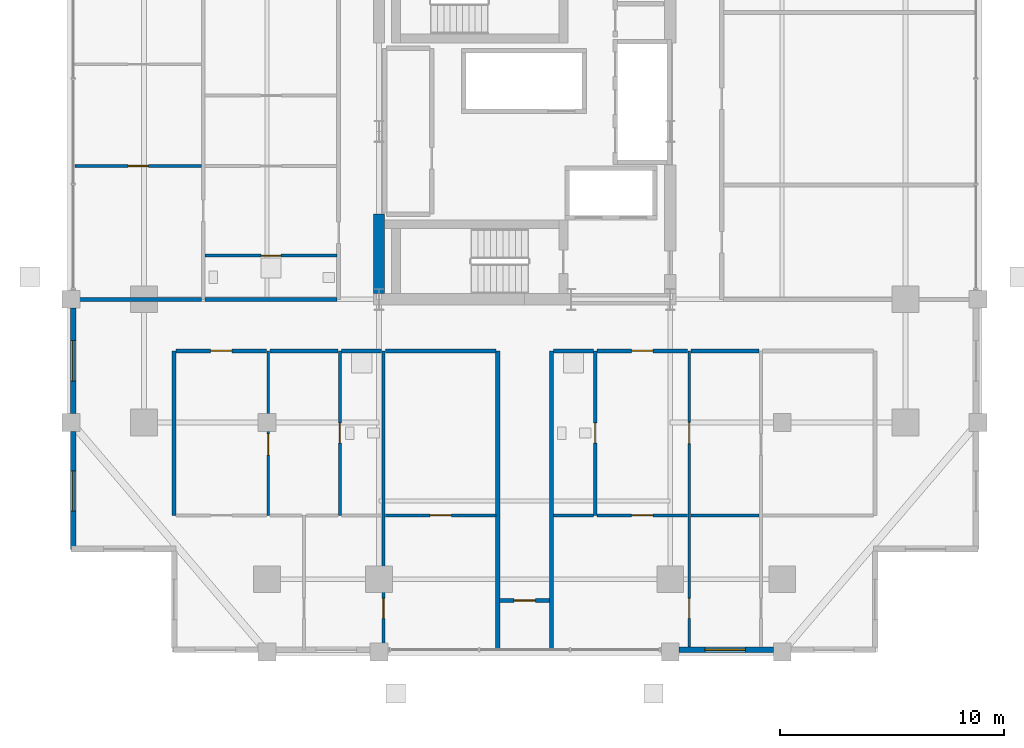
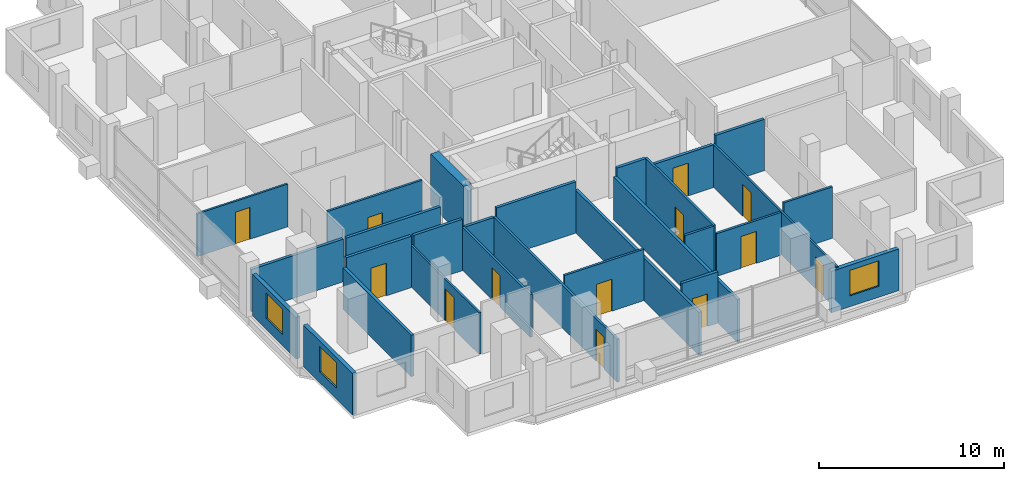
# One storey, part 14 of 20: 28 walls, 13 doors, 3 windows, 16 openings.
"""IFC4 building model written with IfcOpenShell, lengths in metres."""

from ifc_helpers import new_model, si_unit, direction, frame, frame_2d, origin, place, context, subcontext, project, spatial, rectangle, extrude, material, layer, layer_set, type_object, element, fill, save


model = new_model("IFC4")

# Units and contexts
model_context = context("Model", 3, precision=1e-05, world=origin(), true_north=direction((0.0, 1.0)))
body_context = subcontext(model_context, "Body", "Model", "MODEL_VIEW")
ifc_project = project(units=[si_unit("LENGTHUNIT", "METRE"), si_unit("AREAUNIT", "SQUARE_METRE"), si_unit("VOLUMEUNIT", "CUBIC_METRE"), si_unit("PLANEANGLEUNIT", "RADIAN"), si_unit("MASSUNIT", "GRAM", prefix="KILO")], contexts=[model_context])

# Site, building, storey
site_placement = place(None, origin())
site = spatial("IfcSite", under=ifc_project, at=site_placement, CompositionType="ELEMENT")
building_placement = place(site_placement, origin())
building = spatial("IfcBuilding", under=site, at=building_placement, Name="Barlavira Tower and Art Museum", CompositionType="ELEMENT")
storey_placement = place(building_placement, frame((0.0, 0.0, 136.800048828125)))
storey = spatial("IfcBuildingStorey", under=building, at=storey_placement, Name="L34", CompositionType="ELEMENT", Elevation=136.800048828125)

# Wall, opening, door
ifc_material_1 = material(Name="Gypsum acoustic stud partition", Category="gypsum")
ifc_layer_1 = layer(ifc_material_1, 0.1201171875, Name="Gypsum acoustic stud partition")
ifc_layer_set_1 = layer_set([ifc_layer_1], Name="Gypsum acoustic stud partition")
wall_type_1 = type_object("IfcWallType", Name="Apartment Internal Acoustic Partition 120", PredefinedType="PARTITIONING", material=ifc_layer_set_1)
wall_1_placement = place(storey_placement, frame((-11.449951171875, -17.14990234375, 0.0), z_axis=(0.0, 0.0, 1.0), x_axis=(0.0, 1.0, 0.0)))
wall_1 = element("IfcWall", 1, at=wall_1_placement, inside=storey, type_object=wall_type_1, Name="L34 Partition Wall 4", PredefinedType="PARTITIONING", context=body_context, shape_type="SweptSolid", body=[
    extrude(rectangle(XDim=7.349853515625, YDim=0.1201171875, at=frame_2d((3.6748046875, 0.0))), origin(), (0.0, 0.0, 1.0), 2.73583984375),
])
opening_1_placement = place(wall_1_placement, frame((2.686767578125, 0.0, 0.0)))
opening_1 = element("IfcOpeningElement", 2, at=opening_1_placement, cuts=wall_1, Name="Opening D-02", PredefinedType="OPENING", context=body_context, shape_type="SweptSolid", body=[
    extrude(rectangle(XDim=0.949951171875, YDim=2.10009765625, at=frame_2d((0.47509765625, 1.050048828125))), frame((0.0, 0.070068359375, 0.0), z_axis=(0.0, -1.0, 0.0), x_axis=(1.0, 0.0, 0.0)), (0.0, 0.0, 1.0), 0.14013671875),
])
ifc_material_2 = material(Name="Engineered coastal hardwood", Category="wood")
door_type_1 = type_object("IfcDoorType", Name="Living and Salon Glazed-Leaf Door 950x2100", OperationType="NOTDEFINED", PredefinedType="DOOR", material=ifc_material_2)
door_1_placement = place(opening_1_placement, origin())
door_1 = element("IfcDoor", 3, at=door_1_placement, inside=storey, type_object=door_type_1, Name="Apartment SW1 Kitchen Door", OperationType="SINGLE_SWING_RIGHT", OverallHeight=2.10009765625, OverallWidth=0.949951171875, PredefinedType="DOOR", context=body_context, shape_type="SweptSolid", body=[
    extrude(rectangle(XDim=0.949951171875, YDim=2.10009765625, at=frame_2d((0.47509765625, 1.050048828125))), frame((0.0, 0.02490234375, 0.0), z_axis=(0.0, -1.0, 0.0), x_axis=(1.0, 0.0, 0.0)), (0.0, 0.0, 1.0), 0.050048828125),
])
fill(opening_1, door_1)

# Wall, openings, doors
wall_2_placement = place(storey_placement, frame((7.35009765625, -23.14990234375, 0.0), z_axis=(0.0, 0.0, 1.0), x_axis=(0.0, 1.0, 0.0)))
wall_2 = element("IfcWall", 4, at=wall_2_placement, inside=storey, type_object=wall_type_1, Name="L34 Partition Wall 22", PredefinedType="PARTITIONING", context=body_context, shape_type="SweptSolid", body=[
    extrude(rectangle(XDim=13.349853515625, YDim=0.1201171875, at=frame_2d((6.6748046875, 0.0))), origin(), (0.0, 0.0, 1.0), 2.81591796875),
])
opening_2_placement = place(wall_2_placement, frame((9.205078125, 0.0, 0.0)))
opening_2 = element("IfcOpeningElement", 5, at=opening_2_placement, cuts=wall_2, Name="Opening D-02", PredefinedType="OPENING", context=body_context, shape_type="SweptSolid", body=[
    extrude(rectangle(XDim=0.949951171875, YDim=2.10009765625, at=frame_2d((0.47509765625, 1.050048828125))), frame((0.0, 0.070068359375, 0.0), z_axis=(0.0, -1.0, 0.0), x_axis=(1.0, 0.0, 0.0)), (0.0, 0.0, 1.0), 0.14013671875),
])
opening_3_placement = place(wall_2_placement, frame((1.39892578125, 0.0, 0.0)))
opening_3 = element("IfcOpeningElement", 6, at=opening_3_placement, cuts=wall_2, Name="Opening D-01", PredefinedType="OPENING", context=body_context, shape_type="SweptSolid", body=[
    extrude(rectangle(XDim=0.89990234375, YDim=2.10009765625, at=frame_2d((0.449951171875, 1.050048828125))), frame((0.0, 0.070068359375, 0.0), z_axis=(0.0, -1.0, 0.0), x_axis=(1.0, 0.0, 0.0)), (0.0, 0.0, 1.0), 0.14013671875),
])
door_type_2 = type_object("IfcDoorType", Name="Internal Bedroom Timber Flush Door 900x2100", OperationType="NOTDEFINED", PredefinedType="DOOR", material=ifc_material_2)
door_2_placement = place(opening_3_placement, origin())
door_2 = element("IfcDoor", 7, at=door_2_placement, inside=storey, type_object=door_type_2, Name="Apartment SE1 Bedroom 1 Door", OperationType="SINGLE_SWING_LEFT", OverallHeight=2.10009765625, OverallWidth=0.89990234375, PredefinedType="DOOR", context=body_context, shape_type="SweptSolid", body=[
    extrude(rectangle(XDim=0.89990234375, YDim=2.10009765625, at=frame_2d((0.449951171875, 1.050048828125))), frame((0.0, 0.02490234375, 0.0), z_axis=(0.0, -1.0, 0.0), x_axis=(1.0, 0.0, 0.0)), (0.0, 0.0, 1.0), 0.050048828125),
])
fill(opening_3, door_2)
door_3_placement = place(opening_2_placement, origin())
door_3 = element("IfcDoor", 8, at=door_3_placement, inside=storey, type_object=door_type_1, Name="Apartment SE1 Kitchen Door", OperationType="SINGLE_SWING_RIGHT", OverallHeight=2.10009765625, OverallWidth=0.949951171875, PredefinedType="DOOR", context=body_context, shape_type="SweptSolid", body=[
    extrude(rectangle(XDim=0.949951171875, YDim=2.10009765625, at=frame_2d((0.47509765625, 1.050048828125))), frame((0.0, 0.02490234375, 0.0), z_axis=(0.0, -1.0, 0.0), x_axis=(1.0, 0.0, 0.0)), (0.0, 0.0, 1.0), 0.050048828125),
])
fill(opening_2, door_3)

# Wall, opening, door
wall_3_placement = place(storey_placement, frame((-20.070068359375, -1.550048828125, 0.0), z_axis=(0.0, 0.0, 1.0), x_axis=(1.0, 0.0, 0.0)))
wall_3 = element("IfcWall", 9, at=wall_3_placement, inside=storey, type_object=wall_type_1, Name="L34 Partition Wall 53", PredefinedType="PARTITIONING", context=body_context, shape_type="SweptSolid", body=[
    extrude(rectangle(XDim=5.64013671875, YDim=0.1201171875, at=frame_2d((2.820068359375, 0.0))), origin(), (0.0, 0.0, 1.0), 2.81591796875),
])
opening_4_placement = place(wall_3_placement, frame((2.3701171875, 0.0, 0.0)))
opening_4 = element("IfcOpeningElement", 10, at=opening_4_placement, cuts=wall_3, Name="Opening D-01", PredefinedType="OPENING", context=body_context, shape_type="SweptSolid", body=[
    extrude(rectangle(XDim=0.89990234375, YDim=2.10009765625, at=frame_2d((0.449951171875, 1.050048828125))), frame((0.0, 0.070068359375, 0.0), z_axis=(0.0, -1.0, 0.0), x_axis=(1.0, 0.0, 0.0)), (0.0, 0.0, 1.0), 0.14013671875),
])
door_4_placement = place(opening_4_placement, origin())
door_4 = element("IfcDoor", 11, at=door_4_placement, inside=storey, type_object=door_type_2, Name="Apartment W1 Bedroom 1 Door", OperationType="SINGLE_SWING_LEFT", OverallHeight=2.10009765625, OverallWidth=0.89990234375, PredefinedType="DOOR", context=body_context, shape_type="SweptSolid", body=[
    extrude(rectangle(XDim=0.89990234375, YDim=2.10009765625, at=frame_2d((0.449951171875, 1.050048828125))), frame((0.0, 0.02490234375, 0.0), z_axis=(0.0, -1.0, 0.0), x_axis=(1.0, 0.0, 0.0)), (0.0, 0.0, 1.0), 0.050048828125),
])
fill(opening_4, door_4)

# Walls
ifc_material_3 = material(Name="Concrete C60", Category="concrete")
ifc_layer_2 = layer(ifc_material_3, 0.5, Name="Concrete C60")
ifc_layer_set_2 = layer_set([ifc_layer_2], Name="Concrete C60")
wall_type_2 = type_object("IfcWallType", Name="Core Structural Shear Wall 500 Concrete C60", PredefinedType="SHEAR", material=ifc_layer_set_2)
wall_4_placement = place(storey_placement, frame((-6.5, -7.25, 0.0), z_axis=(0.0, 0.0, 1.0), x_axis=(0.0, 1.0, 0.0)))
element("IfcWall", 12, at=wall_4_placement, inside=storey, type_object=wall_type_2, Name="L34 Core Shear Wall CS-W1", PredefinedType="SHEAR", context=body_context, shape_type="SweptSolid", body=[
    extrude(rectangle(XDim=3.550048828125, YDim=0.5, at=frame_2d((1.77490234375, 0.0))), origin(), (0.0, 0.0, 1.0), 3.3798828125),
])
ifc_layer_3 = layer(ifc_material_1, 0.179931640625, Name="Gypsum acoustic stud partition")
ifc_layer_set_3 = layer_set([ifc_layer_3], Name="Gypsum acoustic stud partition")
wall_type_3 = type_object("IfcWallType", Name="Inter-Tenancy Party Partition Wall 180", PredefinedType="PARTITIONING", material=ifc_layer_set_3)
wall_5_placement = place(storey_placement, frame((-15.64990234375, -17.14990234375, 0.0), z_axis=(0.0, 0.0, 1.0), x_axis=(0.0, 1.0, 0.0)))
element("IfcWall", 13, at=wall_5_placement, inside=storey, type_object=wall_type_3, Name="L34 Partition Wall 1", PredefinedType="PARTITIONING", context=body_context, shape_type="SweptSolid", body=[
    extrude(rectangle(XDim=7.349853515625, YDim=0.179931640625, at=frame_2d((3.6748046875, 0.0))), origin(), (0.0, 0.0, 1.0), 2.73583984375),
])
for number, where, z_axis, x_axis, name in (
    (14, (-1.199951171875, -23.14990234375, 0.0), (0.0, 0.0, 1.0), (0.0, 1.0, 0.0), "L34 Partition Wall 15"),
    (15, (1.199951171875, -23.14990234375, 0.0), (0.0, 0.0, 1.0), (0.0, 1.0, 0.0), "L34 Partition Wall 17"),
):
    element("IfcWall", number, at=place(storey_placement, frame(where, z_axis=z_axis, x_axis=x_axis)), inside=storey, type_object=wall_type_3, Name=name, PredefinedType="PARTITIONING", context=body_context, shape_type="SweptSolid", body=[
        extrude(rectangle(XDim=13.349853515625, YDim=0.179931640625, at=frame_2d((6.6748046875, 0.0))), origin(), (0.0, 0.0, 1.0), 2.81591796875),
    ])

# Wall, opening, door
wall_6_placement = place(storey_placement, frame((-1.1201171875, -20.949951171875, 0.0), z_axis=(0.0, 0.0, 1.0), x_axis=(1.0, 0.0, 0.0)))
wall_6 = element("IfcWall", 16, at=wall_6_placement, inside=storey, type_object=wall_type_3, Name="L34 Partition Wall 29", PredefinedType="PARTITIONING", context=body_context, shape_type="SweptSolid", body=[
    extrude(rectangle(XDim=2.240234375, YDim=0.179931640625, at=frame_2d((1.1201171875, 0.0))), origin(), (0.0, 0.0, 1.0), 3.3798828125),
])
opening_5_placement = place(wall_6_placement, frame((0.64501953125, 0.0, 0.0)))
opening_5 = element("IfcOpeningElement", 17, at=opening_5_placement, cuts=wall_6, Name="Opening FD-60", PredefinedType="OPENING", context=body_context, shape_type="SweptSolid", body=[
    extrude(rectangle(XDim=0.949951171875, YDim=2.14990234375, at=frame_2d((0.47509765625, 1.074951171875))), frame((0.0, 0.10009765625, 0.0), z_axis=(0.0, -1.0, 0.0), x_axis=(1.0, 0.0, 0.0)), (0.0, 0.0, 1.0), 0.199951171875),
])
ifc_material_4 = material(Name="Brushed stainless steel", Category="steel")
door_type_3 = type_object("IfcDoorType", Name="Apartment Entrance and Riser Fire Door 950x2150 FD60S", OperationType="NOTDEFINED", PredefinedType="DOOR", material=ifc_material_4)
door_5_placement = place(opening_5_placement, origin())
door_5 = element("IfcDoor", 18, at=door_5_placement, inside=storey, type_object=door_type_3, Name="L34 South Horizon Reading Alcove Door", OperationType="SINGLE_SWING_RIGHT", OverallHeight=2.14990234375, OverallWidth=0.949951171875, PredefinedType="DOOR", context=body_context, shape_type="SweptSolid", body=[
    extrude(rectangle(XDim=0.949951171875, YDim=2.14990234375, at=frame_2d((0.47509765625, 1.074951171875))), frame((0.0, 0.02490234375, 0.0), z_axis=(0.0, -1.0, 0.0), x_axis=(1.0, 0.0, 0.0)), (0.0, 0.0, 1.0), 0.050048828125),
])
fill(opening_5, door_5)

wall_7_placement = place(storey_placement, frame((-15.570068359375, -9.800048828125, 0.0), z_axis=(0.0, 0.0, 1.0), x_axis=(1.0, 0.0, 0.0)))
wall_7 = element("IfcWall", 19, at=wall_7_placement, inside=storey, type_object=wall_type_3, Name="L34 Partition Wall 39", PredefinedType="PARTITIONING", context=body_context, shape_type="SweptSolid", body=[
    extrude(rectangle(XDim=4.0400390625, YDim=0.179931640625, at=frame_2d((2.02001953125, 0.0))), origin(), (0.0, 0.0, 1.0), 3.3798828125),
])
opening_6_placement = place(wall_7_placement, frame((1.544921875, 0.0, 0.0)))
opening_6 = element("IfcOpeningElement", 20, at=opening_6_placement, cuts=wall_7, Name="Opening FD-60", PredefinedType="OPENING", context=body_context, shape_type="SweptSolid", body=[
    extrude(rectangle(XDim=0.949951171875, YDim=2.14990234375, at=frame_2d((0.47509765625, 1.074951171875))), frame((0.0, 0.10009765625, 0.0), z_axis=(0.0, -1.0, 0.0), x_axis=(1.0, 0.0, 0.0)), (0.0, 0.0, 1.0), 0.199951171875),
])
door_6_placement = place(opening_6_placement, origin())
door_6 = element("IfcDoor", 21, at=door_6_placement, inside=storey, type_object=door_type_3, Name="Apartment Entrance Hall SW1 Door", OperationType="SINGLE_SWING_LEFT", OverallHeight=2.14990234375, OverallWidth=0.949951171875, PredefinedType="DOOR", context=body_context, shape_type="SweptSolid", body=[
    extrude(rectangle(XDim=0.949951171875, YDim=2.14990234375, at=frame_2d((0.47509765625, 1.074951171875))), frame((0.0, 0.02490234375, 0.0), z_axis=(0.0, -1.0, 0.0), x_axis=(1.0, 0.0, 0.0)), (0.0, 0.0, 1.0), 0.050048828125),
])
fill(opening_6, door_6)

# Walls
wall_8_placement = place(storey_placement, frame((-11.3701171875, -9.800048828125, 0.0), z_axis=(0.0, 0.0, 1.0), x_axis=(1.0, 0.0, 0.0)))
element("IfcWall", 22, at=wall_8_placement, inside=storey, type_object=wall_type_3, Name="L34 Partition Wall 40", PredefinedType="PARTITIONING", context=body_context, shape_type="SweptSolid", body=[
    extrude(rectangle(XDim=3.0400390625, YDim=0.179931640625, at=frame_2d((1.52001953125, 0.0))), origin(), (0.0, 0.0, 1.0), 3.3798828125),
])
wall_9_placement = place(storey_placement, frame((-8.169921875, -9.800048828125, 0.0), z_axis=(0.0, 0.0, 1.0), x_axis=(1.0, 0.0, 0.0)))
element("IfcWall", 23, at=wall_9_placement, inside=storey, type_object=wall_type_3, Name="L34 Partition Wall 41", PredefinedType="PARTITIONING", context=body_context, shape_type="SweptSolid", body=[
    extrude(rectangle(XDim=1.7900390625, YDim=0.179931640625, at=frame_2d((0.89501953125, 0.0))), origin(), (0.0, 0.0, 1.0), 2.81591796875),
])
wall_10_placement = place(storey_placement, frame((-6.219970703125, -9.800048828125, 0.0), z_axis=(0.0, 0.0, 1.0), x_axis=(1.0, 0.0, 0.0)))
element("IfcWall", 24, at=wall_10_placement, inside=storey, type_object=wall_type_3, Name="L34 Partition Wall 42", PredefinedType="PARTITIONING", context=body_context, shape_type="SweptSolid", body=[
    extrude(rectangle(XDim=4.93994140625, YDim=0.179931640625, at=frame_2d((2.469970703125, 0.0))), origin(), (0.0, 0.0, 1.0), 3.3798828125),
])
wall_11_placement = place(storey_placement, frame((1.280029296875, -9.800048828125, 0.0), z_axis=(0.0, 0.0, 1.0), x_axis=(1.0, 0.0, 0.0)))
element("IfcWall", 25, at=wall_11_placement, inside=storey, type_object=wall_type_3, Name="L34 Partition Wall 43", PredefinedType="PARTITIONING", context=body_context, shape_type="SweptSolid", body=[
    extrude(rectangle(XDim=1.7900390625, YDim=0.179931640625, at=frame_2d((0.89501953125, 0.0))), origin(), (0.0, 0.0, 1.0), 3.3798828125),
])

# Wall, opening, door
wall_12_placement = place(storey_placement, frame((3.22998046875, -9.800048828125, 0.0), z_axis=(0.0, 0.0, 1.0), x_axis=(1.0, 0.0, 0.0)))
wall_12 = element("IfcWall", 26, at=wall_12_placement, inside=storey, type_object=wall_type_3, Name="L34 Partition Wall 44", PredefinedType="PARTITIONING", context=body_context, shape_type="SweptSolid", body=[
    extrude(rectangle(XDim=4.0400390625, YDim=0.179931640625, at=frame_2d((2.02001953125, 0.0))), origin(), (0.0, 0.0, 1.0), 2.81591796875),
])
opening_7_placement = place(wall_12_placement, frame((1.544921875, 0.0, 0.0)))
opening_7 = element("IfcOpeningElement", 27, at=opening_7_placement, cuts=wall_12, Name="Opening FD-60", PredefinedType="OPENING", context=body_context, shape_type="SweptSolid", body=[
    extrude(rectangle(XDim=0.949951171875, YDim=2.14990234375, at=frame_2d((0.47509765625, 1.074951171875))), frame((0.0, 0.10009765625, 0.0), z_axis=(0.0, -1.0, 0.0), x_axis=(1.0, 0.0, 0.0)), (0.0, 0.0, 1.0), 0.199951171875),
])
door_7_placement = place(opening_7_placement, origin())
door_7 = element("IfcDoor", 28, at=door_7_placement, inside=storey, type_object=door_type_3, Name="Apartment Entrance Hall SE1 Door", OperationType="SINGLE_SWING_LEFT", OverallHeight=2.14990234375, OverallWidth=0.949951171875, PredefinedType="DOOR", context=body_context, shape_type="SweptSolid", body=[
    extrude(rectangle(XDim=0.949951171875, YDim=2.14990234375, at=frame_2d((0.47509765625, 1.074951171875))), frame((0.0, 0.02490234375, 0.0), z_axis=(0.0, -1.0, 0.0), x_axis=(1.0, 0.0, 0.0)), (0.0, 0.0, 1.0), 0.050048828125),
])
fill(opening_7, door_7)

# Walls
wall_13_placement = place(storey_placement, frame((7.429931640625, -9.800048828125, 0.0), z_axis=(0.0, 0.0, 1.0), x_axis=(1.0, 0.0, 0.0)))
element("IfcWall", 29, at=wall_13_placement, inside=storey, type_object=wall_type_3, Name="L34 Partition Wall 45", PredefinedType="PARTITIONING", context=body_context, shape_type="SweptSolid", body=[
    extrude(rectangle(XDim=3.0400390625, YDim=0.179931640625, at=frame_2d((1.52001953125, 0.0))), origin(), (0.0, 0.0, 1.0), 3.3798828125),
])
wall_14_placement = place(storey_placement, frame((-20.14990234375, -7.5, 0.0), z_axis=(0.0, 0.0, 1.0), x_axis=(1.0, 0.0, 0.0)))
element("IfcWall", 30, at=wall_14_placement, inside=storey, type_object=wall_type_3, Name="L34 Partition Wall 47", PredefinedType="PARTITIONING", context=body_context, shape_type="SweptSolid", body=[
    extrude(rectangle(XDim=5.719970703125, YDim=0.179931640625, at=frame_2d((2.85986328125, 0.0))), origin(), (0.0, 0.0, 1.0), 2.81591796875),
])
wall_15_placement = place(storey_placement, frame((-14.27001953125, -7.5, 0.0), z_axis=(0.0, 0.0, 1.0), x_axis=(1.0, 0.0, 0.0)))
element("IfcWall", 31, at=wall_15_placement, inside=storey, type_object=wall_type_3, Name="L34 Partition Wall 48", PredefinedType="PARTITIONING", context=body_context, shape_type="SweptSolid", body=[
    extrude(rectangle(XDim=5.89013671875, YDim=0.179931640625, at=frame_2d((2.945068359375, 0.0))), origin(), (0.0, 0.0, 1.0), 2.81591796875),
])

# Wall, opening, door
ifc_layer_4 = layer(ifc_material_1, 0.139892578125, Name="Gypsum acoustic stud partition")
ifc_layer_set_4 = layer_set([ifc_layer_4], Name="Gypsum acoustic stud partition")
wall_type_4 = type_object("IfcWallType", Name="Moisture-Resistant Bathroom Partition 140", PredefinedType="PARTITIONING", material=ifc_layer_set_4)
wall_16_placement = place(storey_placement, frame((-8.25, -17.14990234375, 0.0), z_axis=(0.0, 0.0, 1.0), x_axis=(0.0, 1.0, 0.0)))
wall_16 = element("IfcWall", 32, at=wall_16_placement, inside=storey, type_object=wall_type_4, Name="L34 Partition Wall 9", PredefinedType="PARTITIONING", context=body_context, shape_type="SweptSolid", body=[
    extrude(rectangle(XDim=7.349853515625, YDim=0.139892578125, at=frame_2d((3.6748046875, 0.0))), origin(), (0.0, 0.0, 1.0), 2.81591796875),
])
opening_8_placement = place(wall_16_placement, frame((3.22998046875, 0.0, 0.0)))
opening_8 = element("IfcOpeningElement", 33, at=opening_8_placement, cuts=wall_16, Name="Opening D-WC", PredefinedType="OPENING", context=body_context, shape_type="SweptSolid", body=[
    extrude(rectangle(XDim=0.89990234375, YDim=2.10009765625, at=frame_2d((0.449951171875, 1.050048828125))), frame((0.0, 0.080078125, 0.0), z_axis=(0.0, -1.0, 0.0), x_axis=(1.0, 0.0, 0.0)), (0.0, 0.0, 1.0), 0.159912109375),
])
door_type_4 = type_object("IfcDoorType", Name="Accessible Bathroom Flush Door 900x2100", OperationType="NOTDEFINED", PredefinedType="DOOR", material=ifc_material_2)
door_8_placement = place(opening_8_placement, origin())
door_8 = element("IfcDoor", 34, at=door_8_placement, inside=storey, type_object=door_type_4, Name="Apartment SW1 Hall Bathroom Door", OperationType="SINGLE_SWING_LEFT", OverallHeight=2.10009765625, OverallWidth=0.89990234375, PredefinedType="DOOR", context=body_context, shape_type="SweptSolid", body=[
    extrude(rectangle(XDim=0.89990234375, YDim=2.10009765625, at=frame_2d((0.449951171875, 1.050048828125))), frame((0.0, 0.02490234375, 0.0), z_axis=(0.0, -1.0, 0.0), x_axis=(1.0, 0.0, 0.0)), (0.0, 0.0, 1.0), 0.050048828125),
])
fill(opening_8, door_8)

wall_17_placement = place(storey_placement, frame((-6.300048828125, -23.14990234375, 0.0), z_axis=(0.0, 0.0, 1.0), x_axis=(0.0, 1.0, 0.0)))
wall_17 = element("IfcWall", 35, at=wall_17_placement, inside=storey, type_object=wall_type_4, Name="L34 Partition Wall 11", PredefinedType="PARTITIONING", context=body_context, shape_type="SweptSolid", body=[
    extrude(rectangle(XDim=13.349853515625, YDim=0.139892578125, at=frame_2d((6.6748046875, 0.0))), origin(), (0.0, 0.0, 1.0), 2.81591796875),
])
opening_9_placement = place(wall_17_placement, frame((1.39892578125, 0.0, 0.0)))
opening_9 = element("IfcOpeningElement", 36, at=opening_9_placement, cuts=wall_17, Name="Opening D-01", PredefinedType="OPENING", context=body_context, shape_type="SweptSolid", body=[
    extrude(rectangle(XDim=0.89990234375, YDim=2.10009765625, at=frame_2d((0.449951171875, 1.050048828125))), frame((0.0, 0.080078125, 0.0), z_axis=(0.0, -1.0, 0.0), x_axis=(1.0, 0.0, 0.0)), (0.0, 0.0, 1.0), 0.159912109375),
])
door_9_placement = place(opening_9_placement, origin())
door_9 = element("IfcDoor", 37, at=door_9_placement, inside=storey, type_object=door_type_2, Name="Apartment SW1 Bedroom 2 Door", OperationType="SINGLE_SWING_LEFT", OverallHeight=2.10009765625, OverallWidth=0.89990234375, PredefinedType="DOOR", context=body_context, shape_type="SweptSolid", body=[
    extrude(rectangle(XDim=0.89990234375, YDim=2.10009765625, at=frame_2d((0.449951171875, 1.050048828125))), frame((0.0, 0.02490234375, 0.0), z_axis=(0.0, -1.0, 0.0), x_axis=(1.0, 0.0, 0.0)), (0.0, 0.0, 1.0), 0.050048828125),
])
fill(opening_9, door_9)

wall_18_placement = place(storey_placement, frame((3.14990234375, -17.14990234375, 0.0), z_axis=(0.0, 0.0, 1.0), x_axis=(0.0, 1.0, 0.0)))
wall_18 = element("IfcWall", 38, at=wall_18_placement, inside=storey, type_object=wall_type_4, Name="L34 Partition Wall 19", PredefinedType="PARTITIONING", context=body_context, shape_type="SweptSolid", body=[
    extrude(rectangle(XDim=7.349853515625, YDim=0.139892578125, at=frame_2d((3.6748046875, 0.0))), origin(), (0.0, 0.0, 1.0), 3.3798828125),
])
opening_10_placement = place(wall_18_placement, frame((3.22998046875, 0.0, 0.0)))
opening_10 = element("IfcOpeningElement", 39, at=opening_10_placement, cuts=wall_18, Name="Opening D-WC", PredefinedType="OPENING", context=body_context, shape_type="SweptSolid", body=[
    extrude(rectangle(XDim=0.89990234375, YDim=2.10009765625, at=frame_2d((0.449951171875, 1.050048828125))), frame((0.0, 0.080078125, 0.0), z_axis=(0.0, -1.0, 0.0), x_axis=(1.0, 0.0, 0.0)), (0.0, 0.0, 1.0), 0.159912109375),
])
door_10_placement = place(opening_10_placement, origin())
door_10 = element("IfcDoor", 40, at=door_10_placement, inside=storey, type_object=door_type_4, Name="Apartment SE1 Hall Bathroom Door", OperationType="SINGLE_SWING_RIGHT", OverallHeight=2.10009765625, OverallWidth=0.89990234375, PredefinedType="DOOR", context=body_context, shape_type="SweptSolid", body=[
    extrude(rectangle(XDim=0.89990234375, YDim=2.10009765625, at=frame_2d((0.449951171875, 1.050048828125))), frame((0.0, 0.02490234375, 0.0), z_axis=(0.0, -1.0, 0.0), x_axis=(1.0, 0.0, 0.0)), (0.0, 0.0, 1.0), 0.050048828125),
])
fill(opening_10, door_10)

wall_19_placement = place(storey_placement, frame((-6.219970703125, -17.14990234375, 0.0), z_axis=(0.0, 0.0, 1.0), x_axis=(1.0, 0.0, 0.0)))
wall_19 = element("IfcWall", 41, at=wall_19_placement, inside=storey, type_object=wall_type_4, Name="L34 Partition Wall 34", PredefinedType="PARTITIONING", context=body_context, shape_type="SweptSolid", body=[
    extrude(rectangle(XDim=4.93994140625, YDim=0.139892578125, at=frame_2d((2.469970703125, 0.0))), origin(), (0.0, 0.0, 1.0), 3.3798828125),
])
opening_11_placement = place(wall_19_placement, frame((1.9951171875, 0.0, 0.0)))
opening_11 = element("IfcOpeningElement", 42, at=opening_11_placement, cuts=wall_19, Name="Opening D-02", PredefinedType="OPENING", context=body_context, shape_type="SweptSolid", body=[
    extrude(rectangle(XDim=0.949951171875, YDim=2.10009765625, at=frame_2d((0.47509765625, 1.050048828125))), frame((0.0, 0.080078125, 0.0), z_axis=(0.0, -1.0, 0.0), x_axis=(1.0, 0.0, 0.0)), (0.0, 0.0, 1.0), 0.159912109375),
])
door_11_placement = place(opening_11_placement, origin())
door_11 = element("IfcDoor", 43, at=door_11_placement, inside=storey, type_object=door_type_1, Name="Apartment SW1 Dining Salon Door", OperationType="SINGLE_SWING_RIGHT", OverallHeight=2.10009765625, OverallWidth=0.949951171875, PredefinedType="DOOR", context=body_context, shape_type="SweptSolid", body=[
    extrude(rectangle(XDim=0.949951171875, YDim=2.10009765625, at=frame_2d((0.47509765625, 1.050048828125))), frame((0.0, 0.02490234375, 0.0), z_axis=(0.0, -1.0, 0.0), x_axis=(1.0, 0.0, 0.0)), (0.0, 0.0, 1.0), 0.050048828125),
])
fill(opening_11, door_11)

# Wall
wall_20_placement = place(storey_placement, frame((1.280029296875, -17.14990234375, 0.0), z_axis=(0.0, 0.0, 1.0), x_axis=(1.0, 0.0, 0.0)))
element("IfcWall", 44, at=wall_20_placement, inside=storey, type_object=wall_type_4, Name="L34 Partition Wall 35", PredefinedType="PARTITIONING", context=body_context, shape_type="SweptSolid", body=[
    extrude(rectangle(XDim=1.7900390625, YDim=0.139892578125, at=frame_2d((0.89501953125, 0.0))), origin(), (0.0, 0.0, 1.0), 3.3798828125),
])

# Wall, opening, door
wall_21_placement = place(storey_placement, frame((3.22998046875, -17.14990234375, 0.0), z_axis=(0.0, 0.0, 1.0), x_axis=(1.0, 0.0, 0.0)))
wall_21 = element("IfcWall", 45, at=wall_21_placement, inside=storey, type_object=wall_type_4, Name="L34 Partition Wall 36", PredefinedType="PARTITIONING", context=body_context, shape_type="SweptSolid", body=[
    extrude(rectangle(XDim=4.0400390625, YDim=0.139892578125, at=frame_2d((2.02001953125, 0.0))), origin(), (0.0, 0.0, 1.0), 2.81591796875),
])
opening_12_placement = place(wall_21_placement, frame((1.544921875, 0.0, 0.0)))
opening_12 = element("IfcOpeningElement", 46, at=opening_12_placement, cuts=wall_21, Name="Opening D-02", PredefinedType="OPENING", context=body_context, shape_type="SweptSolid", body=[
    extrude(rectangle(XDim=0.949951171875, YDim=2.10009765625, at=frame_2d((0.47509765625, 1.050048828125))), frame((0.0, 0.080078125, 0.0), z_axis=(0.0, -1.0, 0.0), x_axis=(1.0, 0.0, 0.0)), (0.0, 0.0, 1.0), 0.159912109375),
])
door_12_placement = place(opening_12_placement, origin())
door_12 = element("IfcDoor", 47, at=door_12_placement, inside=storey, type_object=door_type_1, Name="Apartment SE1 Living Lounge Door", OperationType="SINGLE_SWING_RIGHT", OverallHeight=2.10009765625, OverallWidth=0.949951171875, PredefinedType="DOOR", context=body_context, shape_type="SweptSolid", body=[
    extrude(rectangle(XDim=0.949951171875, YDim=2.10009765625, at=frame_2d((0.47509765625, 1.050048828125))), frame((0.0, 0.02490234375, 0.0), z_axis=(0.0, -1.0, 0.0), x_axis=(1.0, 0.0, 0.0)), (0.0, 0.0, 1.0), 0.050048828125),
])
fill(opening_12, door_12)

# Wall
wall_22_placement = place(storey_placement, frame((7.429931640625, -17.14990234375, 0.0), z_axis=(0.0, 0.0, 1.0), x_axis=(1.0, 0.0, 0.0)))
element("IfcWall", 48, at=wall_22_placement, inside=storey, type_object=wall_type_4, Name="L34 Partition Wall 37", PredefinedType="PARTITIONING", context=body_context, shape_type="SweptSolid", body=[
    extrude(rectangle(XDim=3.0400390625, YDim=0.139892578125, at=frame_2d((1.52001953125, 0.0))), origin(), (0.0, 0.0, 1.0), 3.3798828125),
])

# Wall, opening, door
wall_23_placement = place(storey_placement, frame((-14.27001953125, -5.550048828125, 0.0), z_axis=(0.0, 0.0, 1.0), x_axis=(1.0, 0.0, 0.0)))
wall_23 = element("IfcWall", 49, at=wall_23_placement, inside=storey, type_object=wall_type_4, Name="L34 Partition Wall 50", PredefinedType="PARTITIONING", context=body_context, shape_type="SweptSolid", body=[
    extrude(rectangle(XDim=5.89013671875, YDim=0.139892578125, at=frame_2d((2.945068359375, 0.0))), origin(), (0.0, 0.0, 1.0), 3.3798828125),
])
opening_13_placement = place(wall_23_placement, frame((2.5, 0.0, 0.0)))
opening_13 = element("IfcOpeningElement", 50, at=opening_13_placement, cuts=wall_23, Name="Opening D-WC", PredefinedType="OPENING", context=body_context, shape_type="SweptSolid", body=[
    extrude(rectangle(XDim=0.89990234375, YDim=2.10009765625, at=frame_2d((0.449951171875, 1.050048828125))), frame((0.0, 0.080078125, 0.0), z_axis=(0.0, -1.0, 0.0), x_axis=(1.0, 0.0, 0.0)), (0.0, 0.0, 1.0), 0.159912109375),
])
door_13_placement = place(opening_13_placement, origin())
door_13 = element("IfcDoor", 51, at=door_13_placement, inside=storey, type_object=door_type_4, Name="Apartment W1 Hall Bathroom Door", OperationType="SINGLE_SWING_RIGHT", OverallHeight=2.10009765625, OverallWidth=0.89990234375, PredefinedType="DOOR", context=body_context, shape_type="SweptSolid", body=[
    extrude(rectangle(XDim=0.89990234375, YDim=2.10009765625, at=frame_2d((0.449951171875, 1.050048828125))), frame((0.0, 0.02490234375, 0.0), z_axis=(0.0, -1.0, 0.0), x_axis=(1.0, 0.0, 0.0)), (0.0, 0.0, 1.0), 0.050048828125),
])
fill(opening_13, door_13)

# Wall, opening, window
ifc_material_5 = material(Name="Precast concrete C40", Category="concrete")
ifc_layer_5 = layer(ifc_material_5, 0.25, Name="Precast concrete C40")
ifc_layer_set_5 = layer_set([ifc_layer_5], Name="Precast concrete C40")
wall_type_5 = type_object("IfcWallType", Name="Notched Corner Spandrel Wall 250 Precast Concrete C40", PredefinedType="SOLIDWALL", material=ifc_layer_set_5)
wall_24_placement = place(storey_placement, frame((6.89501953125, -23.14990234375, 0.0), z_axis=(0.0, 0.0, 1.0), x_axis=(1.0, 0.0, 0.0)))
wall_24 = element("IfcWall", 52, at=wall_24_placement, inside=storey, type_object=wall_type_5, Name="L34 Coastal Facade Pier Wall CW2-L34-S-4", PredefinedType="SOLIDWALL", context=body_context, shape_type="SweptSolid", body=[
    extrude(rectangle(XDim=4.2099609375, YDim=0.25, at=frame_2d((2.10498046875, 0.0))), origin(), (0.0, 0.0, 1.0), 2.73583984375),
])
opening_14_placement = place(wall_24_placement, frame((1.155029296875, 0.0, 0.719970703125)))
opening_14 = element("IfcOpeningElement", 53, at=opening_14_placement, cuts=wall_24, Name="Opening WN-01", PredefinedType="OPENING", context=body_context, shape_type="SweptSolid", body=[
    extrude(rectangle(XDim=1.800048828125, YDim=1.679931640625, at=frame_2d((0.89990234375, 0.83984375))), frame((0.0, 0.135009765625, 0.0), z_axis=(0.0, -1.0, 0.0), x_axis=(1.0, 0.0, 0.0)), (0.0, 0.0, 1.0), 0.27001953125),
])
ifc_material_6 = material(Name="Low-iron coastal laminated glass", Category="glass")
window_type = type_object("IfcWindowType", Name="Recessed Notch Corner Punch Window 1800x1680", PartitioningType="SINGLE_PANEL", PredefinedType="WINDOW", material=ifc_material_6)
window_1_placement = place(opening_14_placement, origin())
window_1 = element("IfcWindow", 54, at=window_1_placement, inside=storey, type_object=window_type, Name="L34 Punched Facade Window EWP-CW2-L34-S-4-1", OverallHeight=1.679931640625, OverallWidth=1.800048828125, PartitioningType="SINGLE_PANEL", PredefinedType="WINDOW", context=body_context, shape_type="SweptSolid", body=[
    extrude(rectangle(XDim=1.800048828125, YDim=1.679931640625, at=frame_2d((0.89990234375, 0.83984375))), frame((0.0, 0.030029296875, 0.0), z_axis=(0.0, -1.0, 0.0), x_axis=(1.0, 0.0, 0.0)), (0.0, 0.0, 1.0), 0.06005859375),
])
fill(opening_14, window_1)

wall_25_placement = place(storey_placement, frame((-20.14990234375, -7.89501953125, 0.0), z_axis=(0.0, 0.0, 1.0), x_axis=(0.0, -1.0, 0.0)))
wall_25 = element("IfcWall", 55, at=wall_25_placement, inside=storey, type_object=wall_type_5, Name="L34 Coastal Facade Pier Wall CW2-L34-W-4", PredefinedType="SOLIDWALL", context=body_context, shape_type="SweptSolid", body=[
    extrude(rectangle(XDim=4.7099609375, YDim=0.25, at=frame_2d((2.35498046875, 0.0))), origin(), (0.0, 0.0, 1.0), 2.73583984375),
])
opening_15_placement = place(wall_25_placement, frame((1.455078125, 0.0, 0.719970703125)))
opening_15 = element("IfcOpeningElement", 56, at=opening_15_placement, cuts=wall_25, Name="Opening WN-01", PredefinedType="OPENING", context=body_context, shape_type="SweptSolid", body=[
    extrude(rectangle(XDim=1.800048828125, YDim=1.679931640625, at=frame_2d((0.89990234375, 0.83984375))), frame((0.0, 0.135009765625, 0.0), z_axis=(0.0, -1.0, 0.0), x_axis=(1.0, 0.0, 0.0)), (0.0, 0.0, 1.0), 0.27001953125),
])
window_2_placement = place(opening_15_placement, origin())
window_2 = element("IfcWindow", 57, at=window_2_placement, inside=storey, type_object=window_type, Name="L34 Punched Facade Window EWP-CW2-L34-W-4-1", OverallHeight=1.679931640625, OverallWidth=1.800048828125, PartitioningType="SINGLE_PANEL", PredefinedType="WINDOW", context=body_context, shape_type="SweptSolid", body=[
    extrude(rectangle(XDim=1.800048828125, YDim=1.679931640625, at=frame_2d((0.89990234375, 0.83984375))), frame((0.0, 0.030029296875, 0.0), z_axis=(0.0, -1.0, 0.0), x_axis=(1.0, 0.0, 0.0)), (0.0, 0.0, 1.0), 0.06005859375),
])
fill(opening_15, window_2)

wall_26_placement = place(storey_placement, frame((-20.14990234375, -13.39501953125, 0.0), z_axis=(0.0, 0.0, 1.0), x_axis=(0.0, -1.0, 0.0)))
wall_26 = element("IfcWall", 58, at=wall_26_placement, inside=storey, type_object=wall_type_5, Name="L34 Coastal Facade Pier Wall CW2-L34-W-5", PredefinedType="SOLIDWALL", context=body_context, shape_type="SweptSolid", body=[
    extrude(rectangle(XDim=5.280029296875, YDim=0.25, at=frame_2d((2.64013671875, 0.0))), origin(), (0.0, 0.0, 1.0), 2.73583984375),
])
opening_16_placement = place(wall_26_placement, frame((1.762939453125, 0.0, 0.719970703125)))
opening_16 = element("IfcOpeningElement", 59, at=opening_16_placement, cuts=wall_26, Name="Opening WN-01", PredefinedType="OPENING", context=body_context, shape_type="SweptSolid", body=[
    extrude(rectangle(XDim=1.800048828125, YDim=1.679931640625, at=frame_2d((0.89990234375, 0.83984375))), frame((0.0, 0.135009765625, 0.0), z_axis=(0.0, -1.0, 0.0), x_axis=(1.0, 0.0, 0.0)), (0.0, 0.0, 1.0), 0.27001953125),
])
window_3_placement = place(opening_16_placement, origin())
window_3 = element("IfcWindow", 60, at=window_3_placement, inside=storey, type_object=window_type, Name="L34 Punched Facade Window EWP-CW2-L34-W-5-1", OverallHeight=1.679931640625, OverallWidth=1.800048828125, PartitioningType="SINGLE_PANEL", PredefinedType="WINDOW", context=body_context, shape_type="SweptSolid", body=[
    extrude(rectangle(XDim=1.800048828125, YDim=1.679931640625, at=frame_2d((0.89990234375, 0.83984375))), frame((0.0, 0.030029296875, 0.0), z_axis=(0.0, -1.0, 0.0), x_axis=(1.0, 0.0, 0.0)), (0.0, 0.0, 1.0), 0.06005859375),
])
fill(opening_16, window_3)

save(model, "model.ifc")
